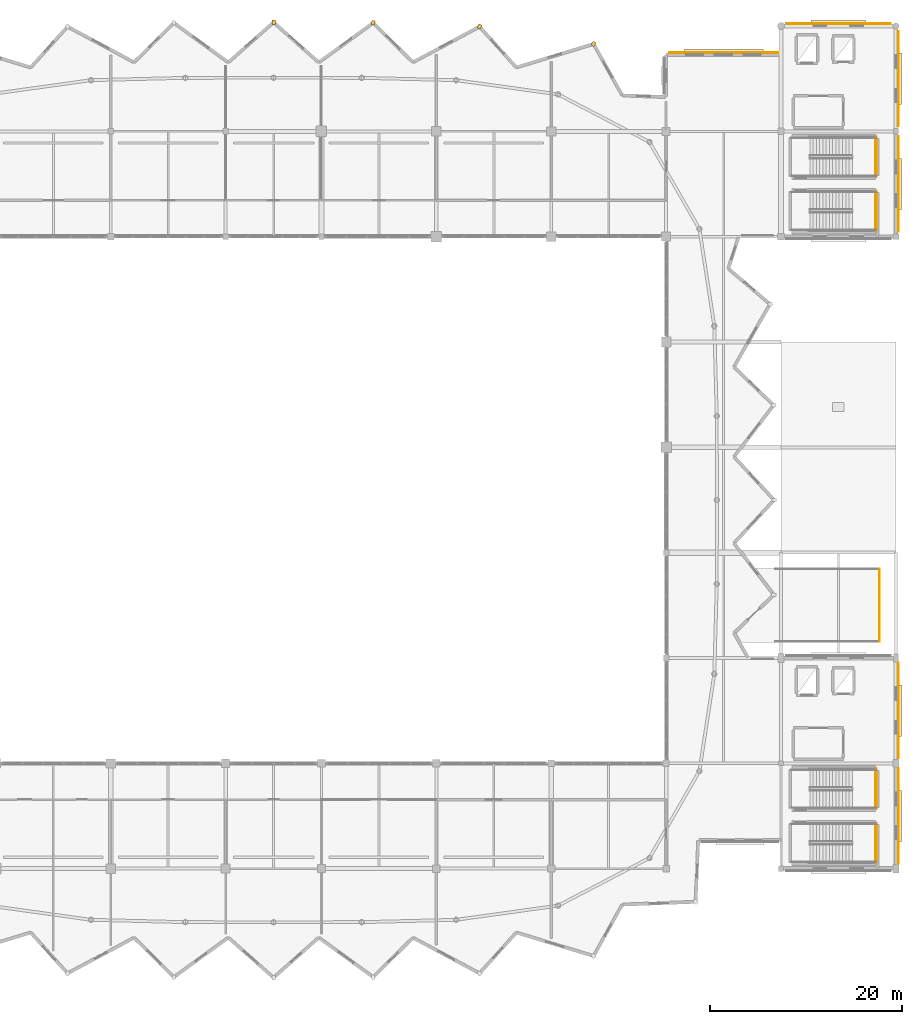
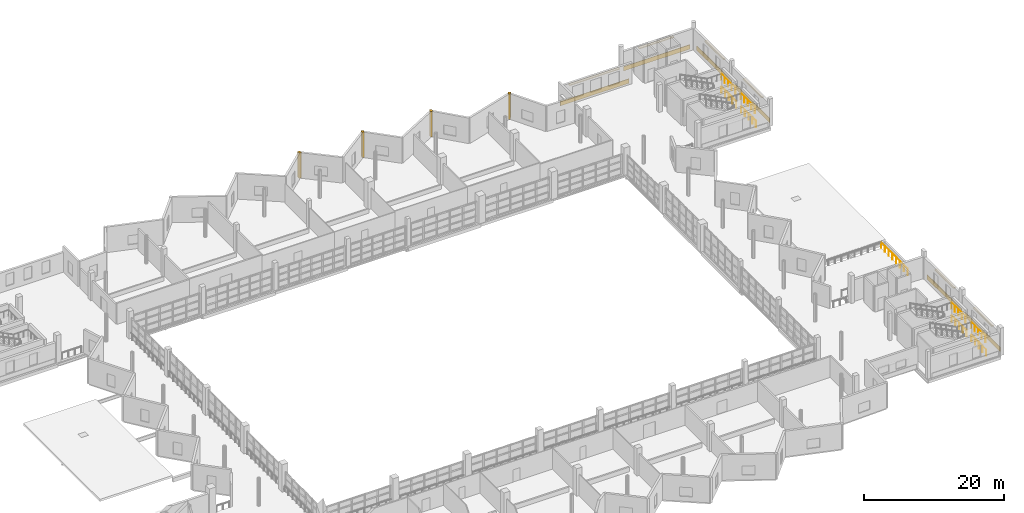
# One storey, part 53 of 53: 16 coverings, 9 railings.
"""IFC4 building model written with IfcOpenShell, lengths in metres."""

from ifc_helpers import new_model, si_unit, direction, frame, origin, origin_2d, place, context, subcontext, project, spatial, rectangle, circle, extrude, material, layer, layer_set, type_object, element, save


model = new_model("IFC4")

# Units and contexts
model_context = context("Model", 3, precision=1e-05, world=origin(), true_north=direction((0.0, 1.0)))
body_context = subcontext(model_context, "Body", "Model", "MODEL_VIEW")
ifc_project = project(units=[si_unit("LENGTHUNIT", "METRE"), si_unit("AREAUNIT", "SQUARE_METRE"), si_unit("VOLUMEUNIT", "CUBIC_METRE"), si_unit("PLANEANGLEUNIT", "RADIAN"), si_unit("MASSUNIT", "GRAM", prefix="KILO")], contexts=[model_context])

# Site, building, storey
site_placement = place(None, origin())
site = spatial("IfcSite", under=ifc_project, at=site_placement, CompositionType="ELEMENT")
building_placement = place(site_placement, origin())
building = spatial("IfcBuilding", under=site, at=building_placement, Name="Luwafu Chhajja Arena", CompositionType="ELEMENT")
storey_placement = place(building_placement, frame((0.0, 0.0, 19.5)))
storey = spatial("IfcBuildingStorey", under=building, at=storey_placement, Name="L04", CompositionType="ELEMENT", Elevation=19.5)

# Coverings
ifc_material_1 = material(Name="Red laterite sandstone cladding", Category="masonry")
ifc_layer = layer(ifc_material_1, 0.074951171875, Name="Red laterite sandstone cladding")
ifc_layer_set = layer_set([ifc_layer], Name="Red laterite sandstone cladding")
covering_type = type_object("IfcCoveringType", Name="Dressed Red-Laterite Sandstone Cladding", PredefinedType="CLADDING", material=ifc_layer_set)
for number, where, z_axis, x_axis, name in (
    (1, (132.427490234375, 97.135986328125, 0.0), (0.0, 0.0, 1.0), (0.574411104334, 0.818566969293, 0.0), "L04 Pleated Bowl Sandstone Ridge Fin 06"),
    (2, (120.510986328125, 98.948974609375, 0.0), (0.0, 0.0, 1.0), (0.398902881432, 0.916993179465, 0.0), "L04 Pleated Bowl Sandstone Ridge Fin 07"),
    (3, (109.412109375, 99.3427734375, 0.0), (0.0, 0.0, 1.0), (0.20448508974, 0.9788696788, 0.0), "L04 Pleated Bowl Sandstone Ridge Fin 08"),
    (4, (99.0, 99.39990234375, 0.0), (0.0, 0.0, 1.0), (0.0, 1.0, 0.0), "L04 Pleated Bowl Sandstone Ridge Fin 09"),
):
    element("IfcCovering", number, at=place(storey_placement, frame(where, z_axis=z_axis, x_axis=x_axis)), inside=storey, type_object=covering_type, Name=name, PredefinedType="CLADDING", context=body_context, shape_type="SweptSolid", body=[
        extrude(rectangle(XDim=0.4599609375, YDim=0.360107421875, at=origin_2d()), origin(), (0.0, 0.0, 1.0), 4.455078125),
    ])
covering_1_placement = place(storey_placement, frame((146.0, 96.2119140625, 0.0), z_axis=(0.0, 0.0, 1.0), x_axis=(1.0, 0.0, 0.0)))
element("IfcCovering", 5, at=covering_1_placement, inside=storey, type_object=covering_type, Name="L04 Red-Laterite Sandstone Plinth Cladding 116", PredefinedType="CLADDING", context=body_context, shape_type="SweptSolid", body=[
    extrude(rectangle(XDim=11.39990234375, YDim=0.0849609375, at=origin_2d()), origin(), (0.0, 0.0, 1.0), 0.760009765625),
])
covering_2_placement = place(storey_placement, frame((146.0, 96.340087890625, 2.97998046875), z_axis=(0.0, 0.0, 1.0), x_axis=(1.0, 0.0, 0.0)))
element("IfcCovering", 6, at=covering_2_placement, inside=storey, type_object=covering_type, Name="L04 Mughal Sandstone Window Chhajja Hood 0108", PredefinedType="CLADDING", context=body_context, shape_type="SweptSolid", body=[
    extrude(rectangle(XDim=8.300048828125, YDim=0.419921875, at=origin_2d()), origin(), (0.0, 0.0, 1.0), 0.139892578125),
])
covering_3_placement = place(storey_placement, frame((164.23193359375, 16.5, 0.0), z_axis=(0.0, 0.0, 1.0), x_axis=(0.0, 1.0, 0.0)))
element("IfcCovering", 7, at=covering_3_placement, inside=storey, type_object=covering_type, Name="L04 Red-Laterite Sandstone Plinth Cladding 119", PredefinedType="CLADDING", context=body_context, shape_type="SweptSolid", body=[
    extrude(rectangle(XDim=9.9599609375, YDim=0.0849609375, at=origin_2d()), origin(), (0.0, 0.0, 1.0), 0.760009765625),
])
covering_4_placement = place(storey_placement, frame((164.360107421875, 16.5, 2.93017578125), z_axis=(0.0, 0.0, 1.0), x_axis=(0.0, 1.0, 0.0)))
element("IfcCovering", 8, at=covering_4_placement, inside=storey, type_object=covering_type, Name="L04 Mughal Sandstone Window Chhajja Hood 0111", PredefinedType="CLADDING", context=body_context, shape_type="SweptSolid", body=[
    extrude(rectangle(XDim=5.3701171875, YDim=0.419921875, at=origin_2d()), origin(), (0.0, 0.0, 1.0), 0.139892578125),
])
covering_5_placement = place(storey_placement, frame((164.23193359375, 27.5, 0.0), z_axis=(0.0, 0.0, 1.0), x_axis=(0.0, 1.0, 0.0)))
element("IfcCovering", 9, at=covering_5_placement, inside=storey, type_object=covering_type, Name="L04 Red-Laterite Sandstone Plinth Cladding 121", PredefinedType="CLADDING", context=body_context, shape_type="SweptSolid", body=[
    extrude(rectangle(XDim=9.9599609375, YDim=0.0849609375, at=origin_2d()), origin(), (0.0, 0.0, 1.0), 0.760009765625),
])
covering_6_placement = place(storey_placement, frame((164.360107421875, 27.5, 2.93017578125), z_axis=(0.0, 0.0, 1.0), x_axis=(0.0, 1.0, 0.0)))
element("IfcCovering", 10, at=covering_6_placement, inside=storey, type_object=covering_type, Name="L04 Mughal Sandstone Window Chhajja Hood 0113", PredefinedType="CLADDING", context=body_context, shape_type="SweptSolid", body=[
    extrude(rectangle(XDim=5.3701171875, YDim=0.419921875, at=origin_2d()), origin(), (0.0, 0.0, 1.0), 0.139892578125),
])
covering_7_placement = place(storey_placement, frame((164.23193359375, 82.5, 0.0), z_axis=(0.0, 0.0, 1.0), x_axis=(0.0, 1.0, 0.0)))
element("IfcCovering", 11, at=covering_7_placement, inside=storey, type_object=covering_type, Name="L04 Red-Laterite Sandstone Plinth Cladding 123", PredefinedType="CLADDING", context=body_context, shape_type="SweptSolid", body=[
    extrude(rectangle(XDim=9.9599609375, YDim=0.0849609375, at=origin_2d()), origin(), (0.0, 0.0, 1.0), 0.760009765625),
])
covering_8_placement = place(storey_placement, frame((164.360107421875, 82.5, 2.93017578125), z_axis=(0.0, 0.0, 1.0), x_axis=(0.0, 1.0, 0.0)))
element("IfcCovering", 12, at=covering_8_placement, inside=storey, type_object=covering_type, Name="L04 Mughal Sandstone Window Chhajja Hood 0115", PredefinedType="CLADDING", context=body_context, shape_type="SweptSolid", body=[
    extrude(rectangle(XDim=5.3701171875, YDim=0.419921875, at=origin_2d()), origin(), (0.0, 0.0, 1.0), 0.139892578125),
])
covering_9_placement = place(storey_placement, frame((158.0, 99.23193359375, 0.0), z_axis=(0.0, 0.0, 1.0), x_axis=(1.0, 0.0, 0.0)))
element("IfcCovering", 13, at=covering_9_placement, inside=storey, type_object=covering_type, Name="L04 Red-Laterite Sandstone Plinth Cladding 124", PredefinedType="CLADDING", context=body_context, shape_type="SweptSolid", body=[
    extrude(rectangle(XDim=10.9599609375, YDim=0.0849609375, at=origin_2d()), origin(), (0.0, 0.0, 1.0), 0.760009765625),
])
covering_10_placement = place(storey_placement, frame((158.0, 99.360107421875, 2.93017578125), z_axis=(0.0, 0.0, 1.0), x_axis=(1.0, 0.0, 0.0)))
element("IfcCovering", 14, at=covering_10_placement, inside=storey, type_object=covering_type, Name="L04 Mughal Sandstone Window Chhajja Hood 0116", PredefinedType="CLADDING", context=body_context, shape_type="SweptSolid", body=[
    extrude(rectangle(XDim=5.703369140625, YDim=0.419921875, at=origin_2d()), origin(), (0.0, 0.0, 1.0), 0.139892578125),
])
covering_11_placement = place(storey_placement, frame((164.23193359375, 93.5, 0.0), z_axis=(0.0, 0.0, 1.0), x_axis=(0.0, 1.0, 0.0)))
element("IfcCovering", 15, at=covering_11_placement, inside=storey, type_object=covering_type, Name="L04 Red-Laterite Sandstone Plinth Cladding 125", PredefinedType="CLADDING", context=body_context, shape_type="SweptSolid", body=[
    extrude(rectangle(XDim=9.9599609375, YDim=0.0849609375, at=origin_2d()), origin(), (0.0, 0.0, 1.0), 0.760009765625),
])
covering_12_placement = place(storey_placement, frame((164.360107421875, 93.5, 2.93017578125), z_axis=(0.0, 0.0, 1.0), x_axis=(0.0, 1.0, 0.0)))
element("IfcCovering", 16, at=covering_12_placement, inside=storey, type_object=covering_type, Name="L04 Mughal Sandstone Window Chhajja Hood 0117", PredefinedType="CLADDING", context=body_context, shape_type="SweptSolid", body=[
    extrude(rectangle(XDim=5.3701171875, YDim=0.419921875, at=origin_2d()), origin(), (0.0, 0.0, 1.0), 0.139892578125),
])

# Railings
ifc_material_2 = material(Name="Stainless steel balustrade", Category="steel")
railing_type = type_object("IfcRailingType", Name="Stair and Terrace Guard Balustrade 1100", PredefinedType="BALUSTRADE", material=ifc_material_2)
railing_1_placement = place(storey_placement, frame((161.85009765625, 11.64990234375, 2.39990234375)))
element("IfcRailing", 17, at=railing_1_placement, inside=storey, type_object=railing_type, Name="L04 ST-03 stair guard 5", PredefinedType="BALUSTRADE", context=body_context, shape_type="SweptSolid", body=[
    extrude(circle(Radius=0.02392578125, at=origin_2d()), frame((0.0, 0.0, 1.076171875), z_axis=(0.0, 1.0, 0.0), x_axis=(-1.0, 0.0, 0.0)), (0.0, 0.0, 1.0), 4.0400390625),
    extrude(circle(Radius=0.02099609375, at=origin_2d()), origin(), (0.0, 0.0, 1.0), 1.052001953125),
    extrude(circle(Radius=0.02099609375, at=origin_2d()), frame((0.0, 1.010009765625, 0.0)), (0.0, 0.0, 1.0), 1.052001953125),
    extrude(circle(Radius=0.02099609375, at=origin_2d()), frame((0.0, 2.02001953125, 0.0)), (0.0, 0.0, 1.0), 1.052001953125),
    extrude(circle(Radius=0.02099609375, at=origin_2d()), frame((0.0, 3.030029296875, 0.0)), (0.0, 0.0, 1.0), 1.052001953125),
    extrude(circle(Radius=0.02099609375, at=origin_2d()), frame((0.0, 4.0400390625, 0.0)), (0.0, 0.0, 1.0), 1.052001953125),
])
railing_2_placement = place(storey_placement, frame((161.949951171875, 11.550048828125, 0.0)))
element("IfcRailing", 18, at=railing_2_placement, inside=storey, type_object=railing_type, Name="L04 ST-03 stair guard 12", PredefinedType="BALUSTRADE", context=body_context, shape_type="SweptSolid", body=[
    extrude(circle(Radius=0.02392578125, at=origin_2d()), frame((0.0, 0.0, 1.076171875), z_axis=(0.0, 1.0, 0.0), x_axis=(-1.0, 0.0, 0.0)), (0.0, 0.0, 1.0), 4.239990234375),
    extrude(circle(Radius=0.02099609375, at=origin_2d()), origin(), (0.0, 0.0, 1.0), 1.052001953125),
    extrude(circle(Radius=0.02099609375, at=origin_2d()), frame((0.0, 1.06005859375, 0.0)), (0.0, 0.0, 1.0), 1.052001953125),
    extrude(circle(Radius=0.02099609375, at=origin_2d()), frame((0.0, 2.1201171875, 0.0)), (0.0, 0.0, 1.0), 1.052001953125),
    extrude(circle(Radius=0.02099609375, at=origin_2d()), frame((0.0, 3.179931640625, 0.0)), (0.0, 0.0, 1.0), 1.052001953125),
    extrude(circle(Radius=0.02099609375, at=origin_2d()), frame((0.0, 4.239990234375, 0.0)), (0.0, 0.0, 1.0), 1.052001953125),
])
railing_3_placement = place(storey_placement, frame((161.85009765625, 17.31005859375, 2.39990234375)))
element("IfcRailing", 19, at=railing_3_placement, inside=storey, type_object=railing_type, Name="L04 ST-04 stair guard 5", PredefinedType="BALUSTRADE", context=body_context, shape_type="SweptSolid", body=[
    extrude(circle(Radius=0.02392578125, at=origin_2d()), frame((0.0, 0.0, 1.076171875), z_axis=(0.0, 1.0, 0.0), x_axis=(-1.0, 0.0, 0.0)), (0.0, 0.0, 1.0), 4.0400390625),
    extrude(circle(Radius=0.02099609375, at=origin_2d()), origin(), (0.0, 0.0, 1.0), 1.052001953125),
    extrude(circle(Radius=0.02099609375, at=origin_2d()), frame((0.0, 1.010009765625, 0.0)), (0.0, 0.0, 1.0), 1.052001953125),
    extrude(circle(Radius=0.02099609375, at=origin_2d()), frame((0.0, 2.02001953125, 0.0)), (0.0, 0.0, 1.0), 1.052001953125),
    extrude(circle(Radius=0.02099609375, at=origin_2d()), frame((0.0, 3.030029296875, 0.0)), (0.0, 0.0, 1.0), 1.052001953125),
    extrude(circle(Radius=0.02099609375, at=origin_2d()), frame((0.0, 4.0400390625, 0.0)), (0.0, 0.0, 1.0), 1.052001953125),
])
railing_4_placement = place(storey_placement, frame((161.949951171875, 17.2099609375, 0.0)))
element("IfcRailing", 20, at=railing_4_placement, inside=storey, type_object=railing_type, Name="L04 ST-04 stair guard 12", PredefinedType="BALUSTRADE", context=body_context, shape_type="SweptSolid", body=[
    extrude(circle(Radius=0.02392578125, at=origin_2d()), frame((0.0, 0.0, 1.076171875), z_axis=(0.0, 1.0, 0.0), x_axis=(-1.0, 0.0, 0.0)), (0.0, 0.0, 1.0), 4.239990234375),
    extrude(circle(Radius=0.02099609375, at=origin_2d()), origin(), (0.0, 0.0, 1.0), 1.052001953125),
    extrude(circle(Radius=0.02099609375, at=origin_2d()), frame((0.0, 1.06005859375, 0.0)), (0.0, 0.0, 1.0), 1.052001953125),
    extrude(circle(Radius=0.02099609375, at=origin_2d()), frame((0.0, 2.1201171875, 0.0)), (0.0, 0.0, 1.0), 1.052001953125),
    extrude(circle(Radius=0.02099609375, at=origin_2d()), frame((0.0, 3.179931640625, 0.0)), (0.0, 0.0, 1.0), 1.052001953125),
    extrude(circle(Radius=0.02099609375, at=origin_2d()), frame((0.0, 4.239990234375, 0.0)), (0.0, 0.0, 1.0), 1.052001953125),
])
railing_5_placement = place(storey_placement, frame((161.85009765625, 77.64990234375, 2.39990234375)))
element("IfcRailing", 21, at=railing_5_placement, inside=storey, type_object=railing_type, Name="L04 ST-07 stair guard 5", PredefinedType="BALUSTRADE", context=body_context, shape_type="SweptSolid", body=[
    extrude(circle(Radius=0.02392578125, at=origin_2d()), frame((0.0, 0.0, 1.076171875), z_axis=(0.0, 1.0, 0.0), x_axis=(-1.0, 0.0, 0.0)), (0.0, 0.0, 1.0), 4.0400390625),
    extrude(circle(Radius=0.02099609375, at=origin_2d()), origin(), (0.0, 0.0, 1.0), 1.052001953125),
    extrude(circle(Radius=0.02099609375, at=origin_2d()), frame((0.0, 1.010009765625, 0.0)), (0.0, 0.0, 1.0), 1.052001953125),
    extrude(circle(Radius=0.02099609375, at=origin_2d()), frame((0.0, 2.02001953125, 0.0)), (0.0, 0.0, 1.0), 1.052001953125),
    extrude(circle(Radius=0.02099609375, at=origin_2d()), frame((0.0, 3.030029296875, 0.0)), (0.0, 0.0, 1.0), 1.052001953125),
    extrude(circle(Radius=0.02099609375, at=origin_2d()), frame((0.0, 4.0400390625, 0.0)), (0.0, 0.0, 1.0), 1.052001953125),
])
railing_6_placement = place(storey_placement, frame((161.949951171875, 77.550048828125, 0.0)))
element("IfcRailing", 22, at=railing_6_placement, inside=storey, type_object=railing_type, Name="L04 ST-07 stair guard 12", PredefinedType="BALUSTRADE", context=body_context, shape_type="SweptSolid", body=[
    extrude(circle(Radius=0.02392578125, at=origin_2d()), frame((0.0, 0.0, 1.076171875), z_axis=(0.0, 1.0, 0.0), x_axis=(-1.0, 0.0, 0.0)), (0.0, 0.0, 1.0), 4.239990234375),
    extrude(circle(Radius=0.02099609375, at=origin_2d()), origin(), (0.0, 0.0, 1.0), 1.052001953125),
    extrude(circle(Radius=0.02099609375, at=origin_2d()), frame((0.0, 1.06005859375, 0.0)), (0.0, 0.0, 1.0), 1.052001953125),
    extrude(circle(Radius=0.02099609375, at=origin_2d()), frame((0.0, 2.1201171875, 0.0)), (0.0, 0.0, 1.0), 1.052001953125),
    extrude(circle(Radius=0.02099609375, at=origin_2d()), frame((0.0, 3.179931640625, 0.0)), (0.0, 0.0, 1.0), 1.052001953125),
    extrude(circle(Radius=0.02099609375, at=origin_2d()), frame((0.0, 4.239990234375, 0.0)), (0.0, 0.0, 1.0), 1.052001953125),
])
railing_7_placement = place(storey_placement, frame((161.85009765625, 83.31005859375, 2.39990234375)))
element("IfcRailing", 23, at=railing_7_placement, inside=storey, type_object=railing_type, Name="L04 ST-08 stair guard 5", PredefinedType="BALUSTRADE", context=body_context, shape_type="SweptSolid", body=[
    extrude(circle(Radius=0.02392578125, at=origin_2d()), frame((0.0, 0.0, 1.076171875), z_axis=(0.0, 1.0, 0.0), x_axis=(-1.0, 0.0, 0.0)), (0.0, 0.0, 1.0), 4.0400390625),
    extrude(circle(Radius=0.02099609375, at=origin_2d()), origin(), (0.0, 0.0, 1.0), 1.052001953125),
    extrude(circle(Radius=0.02099609375, at=origin_2d()), frame((0.0, 1.010009765625, 0.0)), (0.0, 0.0, 1.0), 1.052001953125),
    extrude(circle(Radius=0.02099609375, at=origin_2d()), frame((0.0, 2.02001953125, 0.0)), (0.0, 0.0, 1.0), 1.052001953125),
    extrude(circle(Radius=0.02099609375, at=origin_2d()), frame((0.0, 3.030029296875, 0.0)), (0.0, 0.0, 1.0), 1.052001953125),
    extrude(circle(Radius=0.02099609375, at=origin_2d()), frame((0.0, 4.0400390625, 0.0)), (0.0, 0.0, 1.0), 1.052001953125),
])
railing_8_placement = place(storey_placement, frame((161.949951171875, 83.2099609375, 0.0)))
element("IfcRailing", 24, at=railing_8_placement, inside=storey, type_object=railing_type, Name="L04 ST-08 stair guard 12", PredefinedType="BALUSTRADE", context=body_context, shape_type="SweptSolid", body=[
    extrude(circle(Radius=0.02392578125, at=origin_2d()), frame((0.0, 0.0, 1.076171875), z_axis=(0.0, 1.0, 0.0), x_axis=(-1.0, 0.0, 0.0)), (0.0, 0.0, 1.0), 4.239990234375),
    extrude(circle(Radius=0.02099609375, at=origin_2d()), origin(), (0.0, 0.0, 1.0), 1.052001953125),
    extrude(circle(Radius=0.02099609375, at=origin_2d()), frame((0.0, 1.06005859375, 0.0)), (0.0, 0.0, 1.0), 1.052001953125),
    extrude(circle(Radius=0.02099609375, at=origin_2d()), frame((0.0, 2.1201171875, 0.0)), (0.0, 0.0, 1.0), 1.052001953125),
    extrude(circle(Radius=0.02099609375, at=origin_2d()), frame((0.0, 3.179931640625, 0.0)), (0.0, 0.0, 1.0), 1.052001953125),
    extrude(circle(Radius=0.02099609375, at=origin_2d()), frame((0.0, 4.239990234375, 0.0)), (0.0, 0.0, 1.0), 1.052001953125),
])
railing_9_placement = place(storey_placement, frame((162.300048828125, 34.699951171875, 0.0)))
element("IfcRailing", 25, at=railing_9_placement, inside=storey, type_object=railing_type, Name="L04 Overlook Terrace Balustrade 0011", PredefinedType="BALUSTRADE", context=body_context, shape_type="SweptSolid", body=[
    extrude(circle(Radius=0.02392578125, at=origin_2d()), frame((0.0, 0.0, 1.09619140625), z_axis=(0.0, 1.0, 0.0), x_axis=(-1.0, 0.0, 0.0)), (0.0, 0.0, 1.0), 7.60009765625),
    extrude(circle(Radius=0.02099609375, at=origin_2d()), origin(), (0.0, 0.0, 1.0), 1.072021484375),
    extrude(circle(Radius=0.02099609375, at=origin_2d()), frame((0.0, 1.085693359375, 0.0)), (0.0, 0.0, 1.0), 1.072021484375),
    extrude(circle(Radius=0.02099609375, at=origin_2d()), frame((0.0, 2.17138671875, 0.0)), (0.0, 0.0, 1.0), 1.072021484375),
    extrude(circle(Radius=0.02099609375, at=origin_2d()), frame((0.0, 3.257080078125, 0.0)), (0.0, 0.0, 1.0), 1.072021484375),
    extrude(circle(Radius=0.02099609375, at=origin_2d()), frame((0.0, 4.343017578125, 0.0)), (0.0, 0.0, 1.0), 1.072021484375),
    extrude(circle(Radius=0.02099609375, at=origin_2d()), frame((0.0, 5.4287109375, 0.0)), (0.0, 0.0, 1.0), 1.072021484375),
    extrude(circle(Radius=0.02099609375, at=origin_2d()), frame((0.0, 6.514404296875, 0.0)), (0.0, 0.0, 1.0), 1.072021484375),
    extrude(circle(Radius=0.02099609375, at=origin_2d()), frame((0.0, 7.60009765625, 0.0)), (0.0, 0.0, 1.0), 1.072021484375),
])

save(model, "model.ifc")
